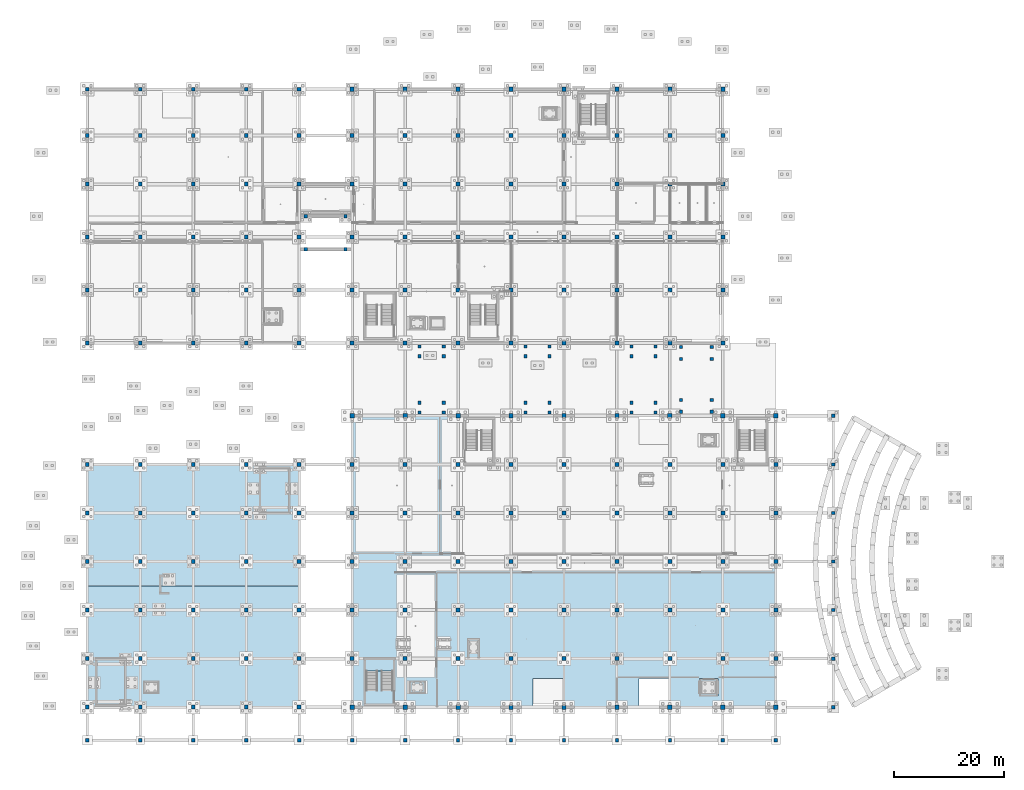
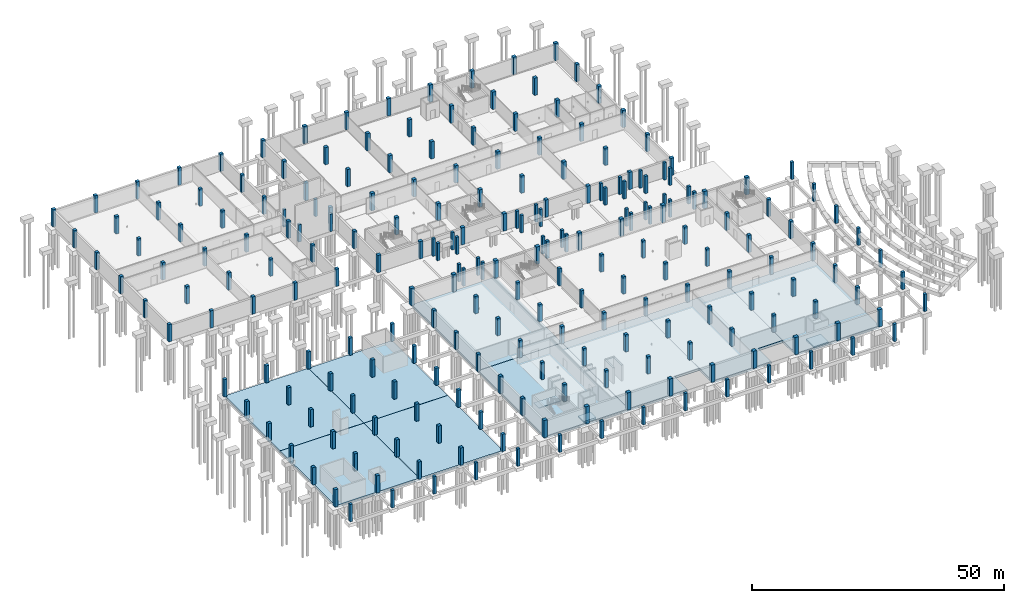
# One storey, part 11 of 31: 228 columns, 12 slabs, 1 element without a shape of its own.
"""IFC4 building model written with IfcOpenShell, lengths in metres."""

from ifc_helpers import new_model, si_unit, direction, frame, origin, origin_2d, place, context, subcontext, project, spatial, polyline, rectangle, outline, extrude, material, layer, layer_set, material_profile, profile_set, type_object, element, aggregate, save


model = new_model("IFC4")

# Units and contexts
model_context = context("Model", 3, precision=1e-05, world=origin(), true_north=direction((0.0, 1.0)))
body_context = subcontext(model_context, "Body", "Model", "MODEL_VIEW")
ifc_project = project(units=[si_unit("LENGTHUNIT", "METRE"), si_unit("AREAUNIT", "SQUARE_METRE"), si_unit("VOLUMEUNIT", "CUBIC_METRE"), si_unit("PLANEANGLEUNIT", "RADIAN"), si_unit("MASSUNIT", "GRAM", prefix="KILO")], contexts=[model_context])

# Site, building, storey
site_placement = place(None, origin())
site = spatial("IfcSite", under=ifc_project, at=site_placement, CompositionType="ELEMENT")
building_placement = place(site_placement, origin())
building = spatial("IfcBuilding", under=site, at=building_placement, Name="Chalmorin Arch Market", CompositionType="ELEMENT")
storey_placement = place(building_placement, frame((0.0, 0.0, -4.199951171875)))
storey = spatial("IfcBuildingStorey", under=building, at=storey_placement, Name="B1", CompositionType="ELEMENT", Elevation=-4.199951171875)

# Columns
ifc_material_1 = material(Name="Concrete C50/60", Category="concrete")
ifc_material_profile_1 = material_profile(ifc_material_1, rectangle(XDim=0.800048828125, YDim=0.800048828125, at=origin_2d()), Name="RC800X800")
ifc_profile_set_1 = profile_set([ifc_material_profile_1], Name="Concrete C50/60")
column_type_1 = type_object("IfcColumnType", Name="ArchPierColumn-800x800", PredefinedType="COLUMN", material=ifc_profile_set_1)
for number, where, z_axis, x_axis, name in (
    (1, (48.0, 6.0, 0.0), (0.0, 0.0, 1.0), (1.0, 0.0, 0.0), "C-AP1-190"),
    (2, (48.0, 58.800048828125, 0.0), (0.0, 0.0, 1.0), (1.0, 0.0, 0.0), "C-AP1-220"),
    (3, (57.60009765625, 6.0, 0.0), (0.0, 0.0, 1.0), (1.0, 0.0, 0.0), "C-AP1-257"),
    (4, (57.60009765625, 58.800048828125, 0.0), (0.0, 0.0, 1.0), (1.0, 0.0, 0.0), "C-AP1-275"),
    (5, (67.199951171875, 6.0, 0.0), (0.0, 0.0, 1.0), (1.0, 0.0, 0.0), "C-AP1-312"),
    (6, (67.199951171875, 58.800048828125, 0.0), (0.0, 0.0, 1.0), (1.0, 0.0, 0.0), "C-AP1-330"),
    (7, (76.800048828125, 6.0, 0.0), (0.0, 0.0, 1.0), (1.0, 0.0, 0.0), "C-AP1-367"),
    (8, (76.800048828125, 58.800048828125, 0.0), (0.0, 0.0, 1.0), (1.0, 0.0, 0.0), "C-AP1-385"),
    (9, (86.39990234375, 6.0, 0.0), (0.0, 0.0, 1.0), (1.0, 0.0, 0.0), "C-AP1-422"),
    (10, (86.39990234375, 58.800048828125, 0.0), (0.0, 0.0, 1.0), (1.0, 0.0, 0.0), "C-AP1-440"),
    (11, (96.0, 6.0, 0.0), (0.0, 0.0, 1.0), (1.0, 0.0, 0.0), "C-AP1-477"),
    (12, (96.0, 58.800048828125, 0.0), (0.0, 0.0, 1.0), (1.0, 0.0, 0.0), "C-AP1-495"),
    (13, (105.60009765625, 6.0, 0.0), (0.0, 0.0, 1.0), (1.0, 0.0, 0.0), "C-AP1-532"),
    (14, (105.60009765625, 58.800048828125, 0.0), (0.0, 0.0, 1.0), (1.0, 0.0, 0.0), "C-AP1-550"),
    (15, (115.199951171875, 6.0, 0.0), (0.0, 0.0, 1.0), (1.0, 0.0, 0.0), "C-AP1-587"),
    (16, (115.199951171875, 58.800048828125, 0.0), (0.0, 0.0, 1.0), (1.0, 0.0, 0.0), "C-AP1-605"),
    (17, (124.800048828125, 6.0, 0.0), (0.0, 0.0, 1.0), (1.0, 0.0, 0.0), "C-AP1-642"),
    (18, (124.800048828125, 58.800048828125, 0.0), (0.0, 0.0, 1.0), (1.0, 0.0, 0.0), "C-AP1-672"),
):
    element("IfcColumn", number, at=place(storey_placement, frame(where, z_axis=z_axis, x_axis=x_axis)), inside=storey, type_object=column_type_1, Name=name, PredefinedType="COLUMN", context=body_context, shape_type="SweptSolid", body=[
        extrude(rectangle(XDim=0.800048828125, YDim=0.800048828125, at=origin_2d()), origin(), (0.0, 0.0, 1.0), 4.199951171875),
    ])
ifc_material_2 = material(Name="Concrete C40/50", Category="concrete")
ifc_material_profile_2 = material_profile(ifc_material_2, rectangle(XDim=0.60009765625, YDim=0.60009765625, at=origin_2d()), Name="RC600X600")
ifc_profile_set_2 = profile_set([ifc_material_profile_2], Name="Concrete C40/50")
column_type_2 = type_object("IfcColumnType", Name="InteriorConcreteColumn-600x600", PredefinedType="COLUMN", material=ifc_profile_set_2)
for number, where, z_axis, x_axis, name in (
    (19, (0.0, 0.0, 0.0), (0.0, 0.0, 1.0), (1.0, 0.0, 0.0), "C-RC2-001"),
    (20, (9.60009765625, 0.0, 0.0), (0.0, 0.0, 1.0), (1.0, 0.0, 0.0), "C-RC2-039"),
    (21, (19.199951171875, 0.0, 0.0), (0.0, 0.0, 1.0), (1.0, 0.0, 0.0), "C-RC2-077"),
    (22, (28.800048828125, 0.0, 0.0), (0.0, 0.0, 1.0), (1.0, 0.0, 0.0), "C-RC2-114"),
    (23, (38.39990234375, 0.0, 0.0), (0.0, 0.0, 1.0), (1.0, 0.0, 0.0), "C-RC2-151"),
    (24, (48.0, 0.0, 0.0), (0.0, 0.0, 1.0), (1.0, 0.0, 0.0), "C-RC2-188"),
    (25, (57.60009765625, 0.0, 0.0), (0.0, 0.0, 1.0), (1.0, 0.0, 0.0), "C-RC2-255"),
    (26, (67.199951171875, 0.0, 0.0), (0.0, 0.0, 1.0), (1.0, 0.0, 0.0), "C-RC2-310"),
    (27, (76.800048828125, 0.0, 0.0), (0.0, 0.0, 1.0), (1.0, 0.0, 0.0), "C-RC2-365"),
    (28, (86.39990234375, 0.0, 0.0), (0.0, 0.0, 1.0), (1.0, 0.0, 0.0), "C-RC2-420"),
    (29, (96.0, 0.0, 0.0), (0.0, 0.0, 1.0), (1.0, 0.0, 0.0), "C-RC2-475"),
    (30, (105.60009765625, 0.0, 0.0), (0.0, 0.0, 1.0), (1.0, 0.0, 0.0), "C-RC2-530"),
    (31, (115.199951171875, 0.0, 0.0), (0.0, 0.0, 1.0), (1.0, 0.0, 0.0), "C-RC2-585"),
    (32, (124.800048828125, 0.0, 0.0), (0.0, 0.0, 1.0), (1.0, 0.0, 0.0), "C-RC2-640"),
    (33, (135.199951171875, 6.0, 0.0), (0.0, 0.0, 1.0), (1.0, 0.0, 0.0), "C-RC2-677"),
    (34, (135.199951171875, 14.800048828125, 0.0), (0.0, 0.0, 1.0), (1.0, 0.0, 0.0), "C-RC2-679"),
    (35, (135.199951171875, 23.60009765625, 0.0), (0.0, 0.0, 1.0), (1.0, 0.0, 0.0), "C-RC2-680"),
    (36, (135.199951171875, 32.39990234375, 0.0), (0.0, 0.0, 1.0), (1.0, 0.0, 0.0), "C-RC2-681"),
    (37, (135.199951171875, 41.199951171875, 0.0), (0.0, 0.0, 1.0), (1.0, 0.0, 0.0), "C-RC2-682"),
    (38, (135.199951171875, 50.0, 0.0), (0.0, 0.0, 1.0), (1.0, 0.0, 0.0), "C-RC2-683"),
    (39, (135.199951171875, 58.800048828125, 0.0), (0.0, 0.0, 1.0), (1.0, 0.0, 0.0), "C-RC2-684"),
    (40, (39.60009765625, 89.0, 0.0), (0.0, 0.0, 1.0), (1.0, 0.0, 0.0), "C-RC2-748"),
    (41, (39.60009765625, 95.0, 0.0), (0.0, 0.0, 1.0), (1.0, 0.0, 0.0), "C-RC2-751"),
    (42, (46.800048828125, 89.0, 0.0), (0.0, 0.0, 1.0), (1.0, 0.0, 0.0), "C-RC2-754"),
    (43, (46.800048828125, 95.0, 0.0), (0.0, 0.0, 1.0), (1.0, 0.0, 0.0), "C-RC2-757"),
    (44, (60.219970703125, 59.419921875, 0.0), (0.0, 0.0, 1.0), (1.0, 0.0, 0.0), "C-CNP-B011"),
    (45, (64.580078125, 59.419921875, 0.0), (0.0, 0.0, 1.0), (1.0, 0.0, 0.0), "C-CNP-B012"),
    (46, (64.580078125, 61.179931640625, 0.0), (0.0, 0.0, 1.0), (1.0, 0.0, 0.0), "C-CNP-B013"),
    (47, (60.219970703125, 61.179931640625, 0.0), (0.0, 0.0, 1.0), (1.0, 0.0, 0.0), "C-CNP-B014"),
    (48, (79.419921875, 59.419921875, 0.0), (0.0, 0.0, 1.0), (1.0, 0.0, 0.0), "C-CNP-B021"),
    (49, (83.780029296875, 59.419921875, 0.0), (0.0, 0.0, 1.0), (1.0, 0.0, 0.0), "C-CNP-B022"),
    (50, (83.780029296875, 61.179931640625, 0.0), (0.0, 0.0, 1.0), (1.0, 0.0, 0.0), "C-CNP-B023"),
    (51, (79.419921875, 61.179931640625, 0.0), (0.0, 0.0, 1.0), (1.0, 0.0, 0.0), "C-CNP-B024"),
    (52, (98.6201171875, 59.419921875, 0.0), (0.0, 0.0, 1.0), (1.0, 0.0, 0.0), "C-CNP-B031"),
    (53, (102.97998046875, 59.419921875, 0.0), (0.0, 0.0, 1.0), (1.0, 0.0, 0.0), "C-CNP-B032"),
    (54, (102.97998046875, 61.179931640625, 0.0), (0.0, 0.0, 1.0), (1.0, 0.0, 0.0), "C-CNP-B033"),
    (55, (98.6201171875, 61.179931640625, 0.0), (0.0, 0.0, 1.0), (1.0, 0.0, 0.0), "C-CNP-B034"),
    (56, (60.219970703125, 69.6201171875, 0.0), (0.0, 0.0, 1.0), (1.0, 0.0, 0.0), "C-CNP-B041"),
    (57, (64.580078125, 69.6201171875, 0.0), (0.0, 0.0, 1.0), (1.0, 0.0, 0.0), "C-CNP-B042"),
    (58, (64.580078125, 71.3798828125, 0.0), (0.0, 0.0, 1.0), (1.0, 0.0, 0.0), "C-CNP-B043"),
    (59, (60.219970703125, 71.3798828125, 0.0), (0.0, 0.0, 1.0), (1.0, 0.0, 0.0), "C-CNP-B044"),
    (60, (79.419921875, 69.6201171875, 0.0), (0.0, 0.0, 1.0), (1.0, 0.0, 0.0), "C-CNP-B051"),
    (61, (83.780029296875, 69.6201171875, 0.0), (0.0, 0.0, 1.0), (1.0, 0.0, 0.0), "C-CNP-B052"),
    (62, (83.780029296875, 71.3798828125, 0.0), (0.0, 0.0, 1.0), (1.0, 0.0, 0.0), "C-CNP-B053"),
    (63, (79.419921875, 71.3798828125, 0.0), (0.0, 0.0, 1.0), (1.0, 0.0, 0.0), "C-CNP-B054"),
    (64, (98.6201171875, 69.6201171875, 0.0), (0.0, 0.0, 1.0), (1.0, 0.0, 0.0), "C-CNP-B061"),
    (65, (102.97998046875, 69.6201171875, 0.0), (0.0, 0.0, 1.0), (1.0, 0.0, 0.0), "C-CNP-B062"),
    (66, (102.97998046875, 71.3798828125, 0.0), (0.0, 0.0, 1.0), (1.0, 0.0, 0.0), "C-CNP-B063"),
    (67, (98.6201171875, 71.3798828125, 0.0), (0.0, 0.0, 1.0), (1.0, 0.0, 0.0), "C-CNP-B064"),
    (68, (107.6201171875, 59.52001953125, 0.0), (0.0, 0.0, 1.0), (1.0, 0.0, 0.0), "C-CNP-B071"),
    (69, (113.179931640625, 59.52001953125, 0.0), (0.0, 0.0, 1.0), (1.0, 0.0, 0.0), "C-CNP-B072"),
    (70, (113.179931640625, 61.679931640625, 0.0), (0.0, 0.0, 1.0), (1.0, 0.0, 0.0), "C-CNP-B073"),
    (71, (107.6201171875, 61.679931640625, 0.0), (0.0, 0.0, 1.0), (1.0, 0.0, 0.0), "C-CNP-B074"),
    (72, (107.6201171875, 69.1201171875, 0.0), (0.0, 0.0, 1.0), (1.0, 0.0, 0.0), "C-CNP-B081"),
    (73, (113.179931640625, 69.1201171875, 0.0), (0.0, 0.0, 1.0), (1.0, 0.0, 0.0), "C-CNP-B082"),
    (74, (113.179931640625, 71.280029296875, 0.0), (0.0, 0.0, 1.0), (1.0, 0.0, 0.0), "C-CNP-B083"),
    (75, (107.6201171875, 71.280029296875, 0.0), (0.0, 0.0, 1.0), (1.0, 0.0, 0.0), "C-CNP-B084"),
):
    element("IfcColumn", number, at=place(storey_placement, frame(where, z_axis=z_axis, x_axis=x_axis)), inside=storey, type_object=column_type_2, Name=name, PredefinedType="COLUMN", context=body_context, shape_type="SweptSolid", body=[
        extrude(rectangle(XDim=0.60009765625, YDim=0.60009765625, at=origin_2d()), origin(), (0.0, 0.0, 1.0), 4.199951171875),
    ])
ifc_material_profile_3 = material_profile(ifc_material_2, rectangle(XDim=0.699951171875, YDim=0.699951171875, at=origin_2d()), Name="RC700X700")
ifc_profile_set_3 = profile_set([ifc_material_profile_3], Name="Concrete C40/50")
column_type_3 = type_object("IfcColumnType", Name="PrimaryConcreteColumn-700x700", PredefinedType="COLUMN", material=ifc_profile_set_3)
for number, where, z_axis, x_axis, name in (
    (76, (0.0, 6.0, 0.0), (0.0, 0.0, 1.0), (1.0, 0.0, 0.0), "C-RC1-003"),
    (77, (0.0, 14.800048828125, 0.0), (0.0, 0.0, 1.0), (1.0, 0.0, 0.0), "C-RC1-007"),
    (78, (0.0, 23.60009765625, 0.0), (0.0, 0.0, 1.0), (1.0, 0.0, 0.0), "C-RC1-011"),
    (79, (0.0, 32.39990234375, 0.0), (0.0, 0.0, 1.0), (1.0, 0.0, 0.0), "C-RC1-015"),
    (80, (0.0, 41.199951171875, 0.0), (0.0, 0.0, 1.0), (1.0, 0.0, 0.0), "C-RC1-019"),
    (81, (0.0, 50.0, 0.0), (0.0, 0.0, 1.0), (1.0, 0.0, 0.0), "C-RC1-023"),
    (82, (0.0, 72.0, 0.0), (0.0, 0.0, 1.0), (1.0, 0.0, 0.0), "C-RC1-027"),
    (83, (0.0, 81.60009765625, 0.0), (0.0, 0.0, 1.0), (1.0, 0.0, 0.0), "C-RC1-029"),
    (84, (0.0, 91.199951171875, 0.0), (0.0, 0.0, 1.0), (1.0, 0.0, 0.0), "C-RC1-031"),
    (85, (0.0, 100.800048828125, 0.0), (0.0, 0.0, 1.0), (1.0, 0.0, 0.0), "C-RC1-033"),
    (86, (0.0, 109.60009765625, 0.0), (0.0, 0.0, 1.0), (1.0, 0.0, 0.0), "C-RC1-035"),
    (87, (0.0, 118.0, 0.0), (0.0, 0.0, 1.0), (1.0, 0.0, 0.0), "C-RC1-037"),
    (88, (9.60009765625, 6.0, 0.0), (0.0, 0.0, 1.0), (1.0, 0.0, 0.0), "C-RC1-041"),
    (89, (9.60009765625, 14.800048828125, 0.0), (0.0, 0.0, 1.0), (1.0, 0.0, 0.0), "C-RC1-045"),
    (90, (9.60009765625, 23.60009765625, 0.0), (0.0, 0.0, 1.0), (1.0, 0.0, 0.0), "C-RC1-049"),
    (91, (9.60009765625, 32.39990234375, 0.0), (0.0, 0.0, 1.0), (1.0, 0.0, 0.0), "C-RC1-053"),
    (92, (9.60009765625, 41.199951171875, 0.0), (0.0, 0.0, 1.0), (1.0, 0.0, 0.0), "C-RC1-057"),
    (93, (9.60009765625, 50.0, 0.0), (0.0, 0.0, 1.0), (1.0, 0.0, 0.0), "C-RC1-061"),
    (94, (9.60009765625, 72.0, 0.0), (0.0, 0.0, 1.0), (1.0, 0.0, 0.0), "C-RC1-065"),
    (95, (9.60009765625, 81.60009765625, 0.0), (0.0, 0.0, 1.0), (1.0, 0.0, 0.0), "C-RC1-067"),
    (96, (9.60009765625, 91.199951171875, 0.0), (0.0, 0.0, 1.0), (1.0, 0.0, 0.0), "C-RC1-069"),
    (97, (9.60009765625, 100.800048828125, 0.0), (0.0, 0.0, 1.0), (1.0, 0.0, 0.0), "C-RC1-071"),
    (98, (9.60009765625, 109.60009765625, 0.0), (0.0, 0.0, 1.0), (1.0, 0.0, 0.0), "C-RC1-073"),
    (99, (9.60009765625, 118.0, 0.0), (0.0, 0.0, 1.0), (1.0, 0.0, 0.0), "C-RC1-075"),
    (100, (19.199951171875, 6.0, 0.0), (0.0, 0.0, 1.0), (1.0, 0.0, 0.0), "C-RC1-079"),
    (101, (19.199951171875, 14.800048828125, 0.0), (0.0, 0.0, 1.0), (1.0, 0.0, 0.0), "C-RC1-082"),
    (102, (19.199951171875, 23.60009765625, 0.0), (0.0, 0.0, 1.0), (1.0, 0.0, 0.0), "C-RC1-086"),
    (103, (19.199951171875, 32.39990234375, 0.0), (0.0, 0.0, 1.0), (1.0, 0.0, 0.0), "C-RC1-090"),
    (104, (19.199951171875, 41.199951171875, 0.0), (0.0, 0.0, 1.0), (1.0, 0.0, 0.0), "C-RC1-094"),
    (105, (19.199951171875, 50.0, 0.0), (0.0, 0.0, 1.0), (1.0, 0.0, 0.0), "C-RC1-098"),
    (106, (19.199951171875, 72.0, 0.0), (0.0, 0.0, 1.0), (1.0, 0.0, 0.0), "C-RC1-102"),
    (107, (19.199951171875, 81.60009765625, 0.0), (0.0, 0.0, 1.0), (1.0, 0.0, 0.0), "C-RC1-104"),
    (108, (19.199951171875, 91.199951171875, 0.0), (0.0, 0.0, 1.0), (1.0, 0.0, 0.0), "C-RC1-106"),
    (109, (19.199951171875, 100.800048828125, 0.0), (0.0, 0.0, 1.0), (1.0, 0.0, 0.0), "C-RC1-108"),
    (110, (19.199951171875, 109.60009765625, 0.0), (0.0, 0.0, 1.0), (1.0, 0.0, 0.0), "C-RC1-110"),
    (111, (19.199951171875, 118.0, 0.0), (0.0, 0.0, 1.0), (1.0, 0.0, 0.0), "C-RC1-112"),
    (112, (28.800048828125, 6.0, 0.0), (0.0, 0.0, 1.0), (1.0, 0.0, 0.0), "C-RC1-116"),
    (113, (28.800048828125, 14.800048828125, 0.0), (0.0, 0.0, 1.0), (1.0, 0.0, 0.0), "C-RC1-119"),
    (114, (28.800048828125, 23.60009765625, 0.0), (0.0, 0.0, 1.0), (1.0, 0.0, 0.0), "C-RC1-123"),
    (115, (28.800048828125, 32.39990234375, 0.0), (0.0, 0.0, 1.0), (1.0, 0.0, 0.0), "C-RC1-127"),
    (116, (28.800048828125, 41.199951171875, 0.0), (0.0, 0.0, 1.0), (1.0, 0.0, 0.0), "C-RC1-131"),
    (117, (28.800048828125, 50.0, 0.0), (0.0, 0.0, 1.0), (1.0, 0.0, 0.0), "C-RC1-135"),
    (118, (28.800048828125, 72.0, 0.0), (0.0, 0.0, 1.0), (1.0, 0.0, 0.0), "C-RC1-139"),
    (119, (28.800048828125, 81.60009765625, 0.0), (0.0, 0.0, 1.0), (1.0, 0.0, 0.0), "C-RC1-141"),
    (120, (28.800048828125, 91.199951171875, 0.0), (0.0, 0.0, 1.0), (1.0, 0.0, 0.0), "C-RC1-143"),
    (121, (28.800048828125, 100.800048828125, 0.0), (0.0, 0.0, 1.0), (1.0, 0.0, 0.0), "C-RC1-145"),
    (122, (28.800048828125, 109.60009765625, 0.0), (0.0, 0.0, 1.0), (1.0, 0.0, 0.0), "C-RC1-147"),
    (123, (28.800048828125, 118.0, 0.0), (0.0, 0.0, 1.0), (1.0, 0.0, 0.0), "C-RC1-149"),
    (124, (38.39990234375, 6.0, 0.0), (0.0, 0.0, 1.0), (1.0, 0.0, 0.0), "C-RC1-153"),
    (125, (38.39990234375, 14.800048828125, 0.0), (0.0, 0.0, 1.0), (1.0, 0.0, 0.0), "C-RC1-156"),
    (126, (38.39990234375, 23.60009765625, 0.0), (0.0, 0.0, 1.0), (1.0, 0.0, 0.0), "C-RC1-160"),
    (127, (38.39990234375, 32.39990234375, 0.0), (0.0, 0.0, 1.0), (1.0, 0.0, 0.0), "C-RC1-164"),
    (128, (38.39990234375, 41.199951171875, 0.0), (0.0, 0.0, 1.0), (1.0, 0.0, 0.0), "C-RC1-168"),
    (129, (38.39990234375, 50.0, 0.0), (0.0, 0.0, 1.0), (1.0, 0.0, 0.0), "C-RC1-172"),
    (130, (38.39990234375, 72.0, 0.0), (0.0, 0.0, 1.0), (1.0, 0.0, 0.0), "C-RC1-176"),
    (131, (38.39990234375, 81.60009765625, 0.0), (0.0, 0.0, 1.0), (1.0, 0.0, 0.0), "C-RC1-178"),
    (132, (38.39990234375, 91.199951171875, 0.0), (0.0, 0.0, 1.0), (1.0, 0.0, 0.0), "C-RC1-180"),
    (133, (38.39990234375, 100.800048828125, 0.0), (0.0, 0.0, 1.0), (1.0, 0.0, 0.0), "C-RC1-182"),
    (134, (38.39990234375, 109.60009765625, 0.0), (0.0, 0.0, 1.0), (1.0, 0.0, 0.0), "C-RC1-184"),
    (135, (38.39990234375, 118.0, 0.0), (0.0, 0.0, 1.0), (1.0, 0.0, 0.0), "C-RC1-186"),
    (136, (48.0, 14.800048828125, 0.0), (0.0, 0.0, 1.0), (1.0, 0.0, 0.0), "C-RC1-195"),
    (137, (48.0, 23.60009765625, 0.0), (0.0, 0.0, 1.0), (1.0, 0.0, 0.0), "C-RC1-200"),
    (138, (48.0, 32.39990234375, 0.0), (0.0, 0.0, 1.0), (1.0, 0.0, 0.0), "C-RC1-205"),
    (139, (48.0, 41.199951171875, 0.0), (0.0, 0.0, 1.0), (1.0, 0.0, 0.0), "C-RC1-210"),
    (140, (48.0, 50.0, 0.0), (0.0, 0.0, 1.0), (1.0, 0.0, 0.0), "C-RC1-215"),
    (141, (57.60009765625, 14.800048828125, 0.0), (0.0, 0.0, 1.0), (1.0, 0.0, 0.0), "C-RC1-262"),
    (142, (57.60009765625, 23.60009765625, 0.0), (0.0, 0.0, 1.0), (1.0, 0.0, 0.0), "C-RC1-267"),
    (143, (57.60009765625, 32.39990234375, 0.0), (0.0, 0.0, 1.0), (1.0, 0.0, 0.0), "C-RC1-268"),
    (144, (57.60009765625, 41.199951171875, 0.0), (0.0, 0.0, 1.0), (1.0, 0.0, 0.0), "C-RC1-269"),
    (145, (57.60009765625, 50.0, 0.0), (0.0, 0.0, 1.0), (1.0, 0.0, 0.0), "C-RC1-270"),
    (146, (67.199951171875, 14.800048828125, 0.0), (0.0, 0.0, 1.0), (1.0, 0.0, 0.0), "C-RC1-317"),
    (147, (67.199951171875, 23.60009765625, 0.0), (0.0, 0.0, 1.0), (1.0, 0.0, 0.0), "C-RC1-322"),
    (148, (67.199951171875, 32.39990234375, 0.0), (0.0, 0.0, 1.0), (1.0, 0.0, 0.0), "C-RC1-323"),
    (149, (67.199951171875, 41.199951171875, 0.0), (0.0, 0.0, 1.0), (1.0, 0.0, 0.0), "C-RC1-324"),
    (150, (67.199951171875, 50.0, 0.0), (0.0, 0.0, 1.0), (1.0, 0.0, 0.0), "C-RC1-325"),
    (151, (76.800048828125, 14.800048828125, 0.0), (0.0, 0.0, 1.0), (1.0, 0.0, 0.0), "C-RC1-372"),
    (152, (76.800048828125, 23.60009765625, 0.0), (0.0, 0.0, 1.0), (1.0, 0.0, 0.0), "C-RC1-377"),
    (153, (76.800048828125, 32.39990234375, 0.0), (0.0, 0.0, 1.0), (1.0, 0.0, 0.0), "C-RC1-378"),
    (154, (76.800048828125, 41.199951171875, 0.0), (0.0, 0.0, 1.0), (1.0, 0.0, 0.0), "C-RC1-379"),
    (155, (76.800048828125, 50.0, 0.0), (0.0, 0.0, 1.0), (1.0, 0.0, 0.0), "C-RC1-380"),
    (156, (86.39990234375, 14.800048828125, 0.0), (0.0, 0.0, 1.0), (1.0, 0.0, 0.0), "C-RC1-427"),
    (157, (86.39990234375, 23.60009765625, 0.0), (0.0, 0.0, 1.0), (1.0, 0.0, 0.0), "C-RC1-432"),
    (158, (86.39990234375, 32.39990234375, 0.0), (0.0, 0.0, 1.0), (1.0, 0.0, 0.0), "C-RC1-433"),
    (159, (86.39990234375, 41.199951171875, 0.0), (0.0, 0.0, 1.0), (1.0, 0.0, 0.0), "C-RC1-434"),
    (160, (86.39990234375, 50.0, 0.0), (0.0, 0.0, 1.0), (1.0, 0.0, 0.0), "C-RC1-435"),
    (161, (96.0, 14.800048828125, 0.0), (0.0, 0.0, 1.0), (1.0, 0.0, 0.0), "C-RC1-482"),
    (162, (96.0, 23.60009765625, 0.0), (0.0, 0.0, 1.0), (1.0, 0.0, 0.0), "C-RC1-487"),
    (163, (96.0, 32.39990234375, 0.0), (0.0, 0.0, 1.0), (1.0, 0.0, 0.0), "C-RC1-488"),
    (164, (96.0, 41.199951171875, 0.0), (0.0, 0.0, 1.0), (1.0, 0.0, 0.0), "C-RC1-489"),
    (165, (96.0, 50.0, 0.0), (0.0, 0.0, 1.0), (1.0, 0.0, 0.0), "C-RC1-490"),
    (166, (105.60009765625, 14.800048828125, 0.0), (0.0, 0.0, 1.0), (1.0, 0.0, 0.0), "C-RC1-537"),
    (167, (105.60009765625, 23.60009765625, 0.0), (0.0, 0.0, 1.0), (1.0, 0.0, 0.0), "C-RC1-542"),
    (168, (105.60009765625, 32.39990234375, 0.0), (0.0, 0.0, 1.0), (1.0, 0.0, 0.0), "C-RC1-543"),
    (169, (105.60009765625, 41.199951171875, 0.0), (0.0, 0.0, 1.0), (1.0, 0.0, 0.0), "C-RC1-544"),
    (170, (105.60009765625, 50.0, 0.0), (0.0, 0.0, 1.0), (1.0, 0.0, 0.0), "C-RC1-545"),
    (171, (115.199951171875, 14.800048828125, 0.0), (0.0, 0.0, 1.0), (1.0, 0.0, 0.0), "C-RC1-592"),
    (172, (115.199951171875, 23.60009765625, 0.0), (0.0, 0.0, 1.0), (1.0, 0.0, 0.0), "C-RC1-597"),
    (173, (115.199951171875, 32.39990234375, 0.0), (0.0, 0.0, 1.0), (1.0, 0.0, 0.0), "C-RC1-598"),
    (174, (115.199951171875, 41.199951171875, 0.0), (0.0, 0.0, 1.0), (1.0, 0.0, 0.0), "C-RC1-599"),
    (175, (115.199951171875, 50.0, 0.0), (0.0, 0.0, 1.0), (1.0, 0.0, 0.0), "C-RC1-600"),
    (176, (124.800048828125, 14.800048828125, 0.0), (0.0, 0.0, 1.0), (1.0, 0.0, 0.0), "C-RC1-647"),
    (177, (124.800048828125, 23.60009765625, 0.0), (0.0, 0.0, 1.0), (1.0, 0.0, 0.0), "C-RC1-652"),
    (178, (124.800048828125, 32.39990234375, 0.0), (0.0, 0.0, 1.0), (1.0, 0.0, 0.0), "C-RC1-657"),
    (179, (124.800048828125, 41.199951171875, 0.0), (0.0, 0.0, 1.0), (1.0, 0.0, 0.0), "C-RC1-662"),
    (180, (124.800048828125, 50.0, 0.0), (0.0, 0.0, 1.0), (1.0, 0.0, 0.0), "C-RC1-667"),
):
    element("IfcColumn", number, at=place(storey_placement, frame(where, z_axis=z_axis, x_axis=x_axis)), inside=storey, type_object=column_type_3, Name=name, PredefinedType="COLUMN", context=body_context, shape_type="SweptSolid", body=[
        extrude(rectangle(XDim=0.699951171875, YDim=0.699951171875, at=origin_2d()), origin(), (0.0, 0.0, 1.0), 4.199951171875),
    ])
ifc_material_profile_4 = material_profile(ifc_material_2, rectangle(XDim=0.75, YDim=0.75, at=origin_2d()), Name="RC750X750")
ifc_profile_set_4 = profile_set([ifc_material_profile_4], Name="Concrete C40/50")
column_type_4 = type_object("IfcColumnType", Name="TransferConcreteColumn-750x750", PredefinedType="COLUMN", material=ifc_profile_set_4)
for number, where, z_axis, x_axis, name in (
    (181, (48.0, 72.0, 0.0), (0.0, 0.0, 1.0), (1.0, 0.0, 0.0), "C-RC6-225"),
    (182, (48.0, 81.60009765625, 0.0), (0.0, 0.0, 1.0), (1.0, 0.0, 0.0), "C-RC6-230"),
    (183, (48.0, 91.199951171875, 0.0), (0.0, 0.0, 1.0), (1.0, 0.0, 0.0), "C-RC6-235"),
    (184, (48.0, 100.800048828125, 0.0), (0.0, 0.0, 1.0), (1.0, 0.0, 0.0), "C-RC6-240"),
    (185, (48.0, 109.60009765625, 0.0), (0.0, 0.0, 1.0), (1.0, 0.0, 0.0), "C-RC6-245"),
    (186, (48.0, 118.0, 0.0), (0.0, 0.0, 1.0), (1.0, 0.0, 0.0), "C-RC6-250"),
    (187, (57.60009765625, 72.0, 0.0), (0.0, 0.0, 1.0), (1.0, 0.0, 0.0), "C-RC6-280"),
    (188, (57.60009765625, 81.60009765625, 0.0), (0.0, 0.0, 1.0), (1.0, 0.0, 0.0), "C-RC6-285"),
    (189, (57.60009765625, 91.199951171875, 0.0), (0.0, 0.0, 1.0), (1.0, 0.0, 0.0), "C-RC6-290"),
    (190, (57.60009765625, 100.800048828125, 0.0), (0.0, 0.0, 1.0), (1.0, 0.0, 0.0), "C-RC6-295"),
    (191, (57.60009765625, 109.60009765625, 0.0), (0.0, 0.0, 1.0), (1.0, 0.0, 0.0), "C-RC6-300"),
    (192, (57.60009765625, 118.0, 0.0), (0.0, 0.0, 1.0), (1.0, 0.0, 0.0), "C-RC6-305"),
    (193, (67.199951171875, 72.0, 0.0), (0.0, 0.0, 1.0), (1.0, 0.0, 0.0), "C-RC6-335"),
    (194, (67.199951171875, 81.60009765625, 0.0), (0.0, 0.0, 1.0), (1.0, 0.0, 0.0), "C-RC6-340"),
    (195, (67.199951171875, 91.199951171875, 0.0), (0.0, 0.0, 1.0), (1.0, 0.0, 0.0), "C-RC6-345"),
    (196, (67.199951171875, 100.800048828125, 0.0), (0.0, 0.0, 1.0), (1.0, 0.0, 0.0), "C-RC6-350"),
    (197, (67.199951171875, 109.60009765625, 0.0), (0.0, 0.0, 1.0), (1.0, 0.0, 0.0), "C-RC6-355"),
    (198, (67.199951171875, 118.0, 0.0), (0.0, 0.0, 1.0), (1.0, 0.0, 0.0), "C-RC6-360"),
    (199, (76.800048828125, 72.0, 0.0), (0.0, 0.0, 1.0), (1.0, 0.0, 0.0), "C-RC6-390"),
    (200, (76.800048828125, 81.60009765625, 0.0), (0.0, 0.0, 1.0), (1.0, 0.0, 0.0), "C-RC6-395"),
    (201, (76.800048828125, 91.199951171875, 0.0), (0.0, 0.0, 1.0), (1.0, 0.0, 0.0), "C-RC6-400"),
    (202, (76.800048828125, 100.800048828125, 0.0), (0.0, 0.0, 1.0), (1.0, 0.0, 0.0), "C-RC6-405"),
    (203, (76.800048828125, 109.60009765625, 0.0), (0.0, 0.0, 1.0), (1.0, 0.0, 0.0), "C-RC6-410"),
    (204, (76.800048828125, 118.0, 0.0), (0.0, 0.0, 1.0), (1.0, 0.0, 0.0), "C-RC6-415"),
    (205, (86.39990234375, 72.0, 0.0), (0.0, 0.0, 1.0), (1.0, 0.0, 0.0), "C-RC6-445"),
    (206, (86.39990234375, 81.60009765625, 0.0), (0.0, 0.0, 1.0), (1.0, 0.0, 0.0), "C-RC6-450"),
    (207, (86.39990234375, 91.199951171875, 0.0), (0.0, 0.0, 1.0), (1.0, 0.0, 0.0), "C-RC6-455"),
    (208, (86.39990234375, 100.800048828125, 0.0), (0.0, 0.0, 1.0), (1.0, 0.0, 0.0), "C-RC6-460"),
    (209, (86.39990234375, 109.60009765625, 0.0), (0.0, 0.0, 1.0), (1.0, 0.0, 0.0), "C-RC6-465"),
    (210, (86.39990234375, 118.0, 0.0), (0.0, 0.0, 1.0), (1.0, 0.0, 0.0), "C-RC6-470"),
    (211, (96.0, 72.0, 0.0), (0.0, 0.0, 1.0), (1.0, 0.0, 0.0), "C-RC6-500"),
    (212, (96.0, 81.60009765625, 0.0), (0.0, 0.0, 1.0), (1.0, 0.0, 0.0), "C-RC6-505"),
    (213, (96.0, 91.199951171875, 0.0), (0.0, 0.0, 1.0), (1.0, 0.0, 0.0), "C-RC6-510"),
    (214, (96.0, 100.800048828125, 0.0), (0.0, 0.0, 1.0), (1.0, 0.0, 0.0), "C-RC6-515"),
    (215, (96.0, 109.60009765625, 0.0), (0.0, 0.0, 1.0), (1.0, 0.0, 0.0), "C-RC6-520"),
    (216, (96.0, 118.0, 0.0), (0.0, 0.0, 1.0), (1.0, 0.0, 0.0), "C-RC6-525"),
    (217, (105.60009765625, 72.0, 0.0), (0.0, 0.0, 1.0), (1.0, 0.0, 0.0), "C-RC6-555"),
    (218, (105.60009765625, 81.60009765625, 0.0), (0.0, 0.0, 1.0), (1.0, 0.0, 0.0), "C-RC6-560"),
    (219, (105.60009765625, 91.199951171875, 0.0), (0.0, 0.0, 1.0), (1.0, 0.0, 0.0), "C-RC6-565"),
    (220, (105.60009765625, 100.800048828125, 0.0), (0.0, 0.0, 1.0), (1.0, 0.0, 0.0), "C-RC6-570"),
    (221, (105.60009765625, 109.60009765625, 0.0), (0.0, 0.0, 1.0), (1.0, 0.0, 0.0), "C-RC6-575"),
    (222, (105.60009765625, 118.0, 0.0), (0.0, 0.0, 1.0), (1.0, 0.0, 0.0), "C-RC6-580"),
    (223, (115.199951171875, 72.0, 0.0), (0.0, 0.0, 1.0), (1.0, 0.0, 0.0), "C-RC6-610"),
    (224, (115.199951171875, 81.60009765625, 0.0), (0.0, 0.0, 1.0), (1.0, 0.0, 0.0), "C-RC6-615"),
    (225, (115.199951171875, 91.199951171875, 0.0), (0.0, 0.0, 1.0), (1.0, 0.0, 0.0), "C-RC6-620"),
    (226, (115.199951171875, 100.800048828125, 0.0), (0.0, 0.0, 1.0), (1.0, 0.0, 0.0), "C-RC6-625"),
    (227, (115.199951171875, 109.60009765625, 0.0), (0.0, 0.0, 1.0), (1.0, 0.0, 0.0), "C-RC6-630"),
    (228, (115.199951171875, 118.0, 0.0), (0.0, 0.0, 1.0), (1.0, 0.0, 0.0), "C-RC6-635"),
):
    element("IfcColumn", number, at=place(storey_placement, frame(where, z_axis=z_axis, x_axis=x_axis)), inside=storey, type_object=column_type_4, Name=name, PredefinedType="COLUMN", context=body_context, shape_type="SweptSolid", body=[
        extrude(rectangle(XDim=0.75, YDim=0.75, at=origin_2d()), origin(), (0.0, 0.0, 1.0), 4.199951171875),
    ])

# Slabs
ifc_layer_1 = layer(ifc_material_2, 0.60009765625)
ifc_layer_set_1 = layer_set([ifc_layer_1], Name="Concrete C40/50")
slab_type_1 = type_object("IfcSlabType", Name="MatFoundationSlab-600", PredefinedType="BASESLAB", material=ifc_layer_set_1)
slab_1_placement = place(storey_placement, frame((0.0, 0.0, -0.60009765625)))
element("IfcSlab", 229, at=slab_1_placement, inside=storey, type_object=slab_type_1, Name="BS-600-001", PredefinedType="BASESLAB", context=body_context, shape_type="SweptSolid", body=[
    extrude(outline(polyline([(48.010009765625, 6.0), (67.18994140625, 6.0), (67.18994140625, 32.389892578125), (48.010009765625, 32.389892578125), (48.010009765625, 6.0)])), origin(), (0.0, 0.0, 1.0), 0.60009765625),
])
slab_2_placement = place(storey_placement, frame((0.0, 0.0, -0.60009765625)))
element("IfcSlab", 230, at=slab_2_placement, inside=storey, type_object=slab_type_1, Name="BS-600-002", PredefinedType="BASESLAB", context=body_context, shape_type="SweptSolid", body=[
    extrude(outline(polyline([(48.010009765625, 32.409912109375), (67.18994140625, 32.409912109375), (67.18994140625, 58.800048828125), (48.010009765625, 58.800048828125), (48.010009765625, 32.409912109375)])), origin(), (0.0, 0.0, 1.0), 0.60009765625),
])
slab_3_placement = place(storey_placement, frame((0.0, 0.0, -0.60009765625)))
element("IfcSlab", 231, at=slab_3_placement, inside=storey, type_object=slab_type_1, Name="BS-600-003", PredefinedType="BASESLAB", context=body_context, shape_type="SweptSolid", body=[
    extrude(outline(polyline([(67.2099609375, 6.0), (80.7900390625, 6.0), (80.7900390625, 11.199951171875), (86.389892578125, 11.199951171875), (86.389892578125, 32.389892578125), (67.2099609375, 32.389892578125), (67.2099609375, 6.0)])), origin(), (0.0, 0.0, 1.0), 0.60009765625),
])
slab_4_placement = place(storey_placement, frame((0.0, 0.0, -0.60009765625)))
element("IfcSlab", 232, at=slab_4_placement, inside=storey, type_object=slab_type_1, Name="BS-600-005", PredefinedType="BASESLAB", context=body_context, shape_type="SweptSolid", body=[
    extrude(outline(polyline([(86.409912109375, 6.0), (99.989990234375, 6.0), (99.989990234375, 11.199951171875), (105.590087890625, 11.199951171875), (105.590087890625, 32.389892578125), (86.409912109375, 32.389892578125), (86.409912109375, 6.0)])), origin(), (0.0, 0.0, 1.0), 0.60009765625),
])
slab_5_placement = place(storey_placement, frame((0.0, 0.0, -0.60009765625)))
element("IfcSlab", 233, at=slab_5_placement, inside=storey, type_object=slab_type_1, Name="BS-600-007", PredefinedType="BASESLAB", context=body_context, shape_type="SweptSolid", body=[
    extrude(outline(polyline([(105.610107421875, 6.0), (124.7900390625, 6.0), (124.7900390625, 32.389892578125), (105.610107421875, 32.389892578125), (105.610107421875, 6.0)])), origin(), (0.0, 0.0, 1.0), 0.60009765625),
])
slab_6_placement = place(storey_placement, frame((0.0, 0.0, -0.60009765625)))
element("IfcSlab", 234, at=slab_6_placement, inside=storey, type_object=slab_type_1, Name="BS-600-009", PredefinedType="BASESLAB", context=body_context, shape_type="SweptSolid", body=[
    extrude(outline(polyline([(0.010009765625, 6.0), (19.18994140625, 6.0), (19.18994140625, 27.989990234375), (0.010009765625, 27.989990234375), (0.010009765625, 6.0)])), origin(), (0.0, 0.0, 1.0), 0.60009765625),
])
slab_7_placement = place(storey_placement, frame((0.0, 0.0, -0.60009765625)))
element("IfcSlab", 235, at=slab_7_placement, inside=storey, type_object=slab_type_1, Name="BS-600-010", PredefinedType="BASESLAB", context=body_context, shape_type="SweptSolid", body=[
    extrude(outline(polyline([(0.010009765625, 28.010009765625), (19.18994140625, 28.010009765625), (19.18994140625, 50.0), (0.010009765625, 50.0), (0.010009765625, 28.010009765625)])), origin(), (0.0, 0.0, 1.0), 0.60009765625),
])
slab_8_placement = place(storey_placement, frame((0.0, 0.0, -0.60009765625)))
element("IfcSlab", 236, at=slab_8_placement, inside=storey, type_object=slab_type_1, Name="BS-600-011", PredefinedType="BASESLAB", context=body_context, shape_type="SweptSolid", body=[
    extrude(outline(polyline([(19.2099609375, 6.0), (38.389892578125, 6.0), (38.389892578125, 27.989990234375), (19.2099609375, 27.989990234375), (19.2099609375, 6.0)])), origin(), (0.0, 0.0, 1.0), 0.60009765625),
])
slab_9_placement = place(storey_placement, frame((0.0, 0.0, -0.60009765625)))
element("IfcSlab", 237, at=slab_9_placement, inside=storey, type_object=slab_type_1, Name="BS-600-012", PredefinedType="BASESLAB", context=body_context, shape_type="SweptSolid", body=[
    extrude(outline(polyline([(19.2099609375, 28.010009765625), (38.389892578125, 28.010009765625), (38.389892578125, 50.0), (19.2099609375, 50.0), (19.2099609375, 28.010009765625)])), origin(), (0.0, 0.0, 1.0), 0.60009765625),
])
slab_10_placement = place(storey_placement, frame((0.0, 0.0, -1.900146484375)))
element("IfcSlab", 238, at=slab_10_placement, inside=storey, type_object=slab_type_1, Name="PIT-LF-P2", PredefinedType="BASESLAB", context=body_context, shape_type="SweptSolid", body=[
    extrude(outline(polyline([(58.3798828125, 8.455078125), (61.219970703125, 8.455078125), (61.219970703125, 10.7451171875), (58.3798828125, 10.7451171875), (58.3798828125, 8.455078125)])), origin(), (0.0, 0.0, 1.0), 0.400146484375),
])
slab_11_placement = place(storey_placement, frame((0.0, 0.0, -1.900146484375)))
element("IfcSlab", 239, at=slab_11_placement, inside=storey, type_object=slab_type_1, Name="PIT-LF-FR2", PredefinedType="BASESLAB", context=body_context, shape_type="SweptSolid", body=[
    extrude(outline(polyline([(110.929931640625, 8.030029296875), (114.27001953125, 8.030029296875), (114.27001953125, 11.169921875), (110.929931640625, 11.169921875), (110.929931640625, 8.030029296875)])), origin(), (0.0, 0.0, 1.0), 0.400146484375),
])

# Stair, slab
stair_type = type_object("IfcStairType", Name="DoglegExitStair-28R-SC3", PredefinedType="HALF_TURN_STAIR", material=ifc_material_2)
stair_placement = place(storey_placement, origin())
stair = element("IfcStair", 240, at=stair_placement, inside=storey, type_object=stair_type, Name="ST-05", PredefinedType="HALF_TURN_STAIR")
ifc_layer_2 = layer(ifc_material_2, 0.18505859375)
ifc_layer_set_2 = layer_set([ifc_layer_2], Name="Concrete C40/50")
slab_type_2 = type_object("IfcSlabType", Name="StairLandingSlab-185", PredefinedType="LANDING", material=ifc_layer_set_2)
slab_12_placement = place(storey_placement, frame((0.0, 0.0, 1.9150390625)))
slab_12 = element("IfcSlab", 241, at=slab_12_placement, type_object=slab_type_2, Name="LS-005", PredefinedType="LANDING", context=body_context, shape_type="SweptSolid", body=[
    extrude(outline(polyline([(50.419921875, 12.56005859375), (55.47998046875, 12.56005859375), (55.47998046875, 14.6298828125), (50.419921875, 14.6298828125), (50.419921875, 12.56005859375)])), origin(), (0.0, 0.0, 1.0), 0.184814453125),
])
aggregate(stair, [slab_12])

save(model, "model.ifc")
